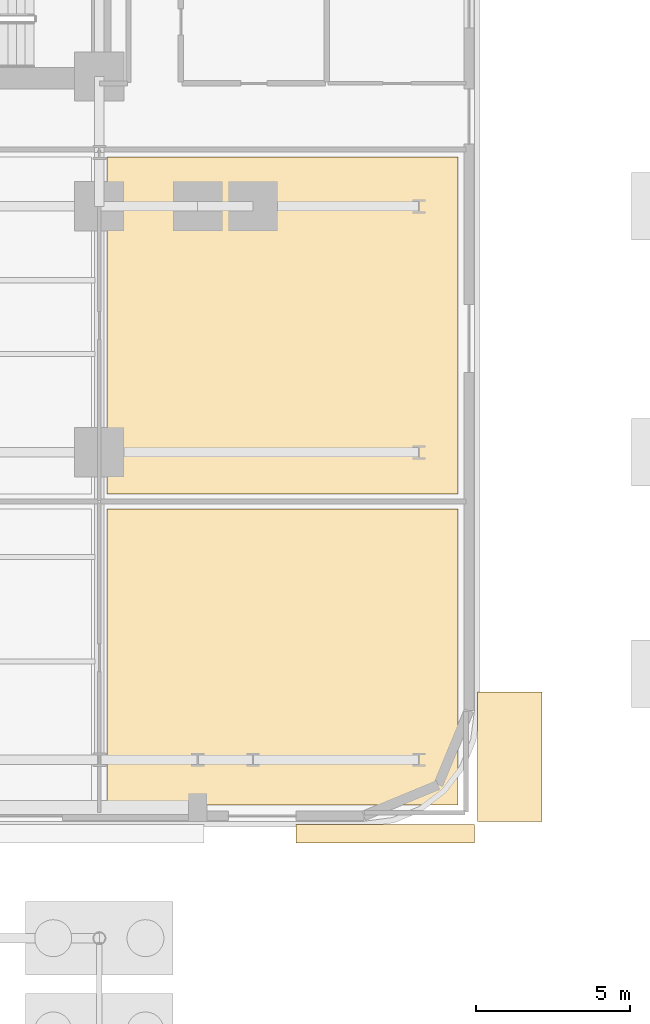
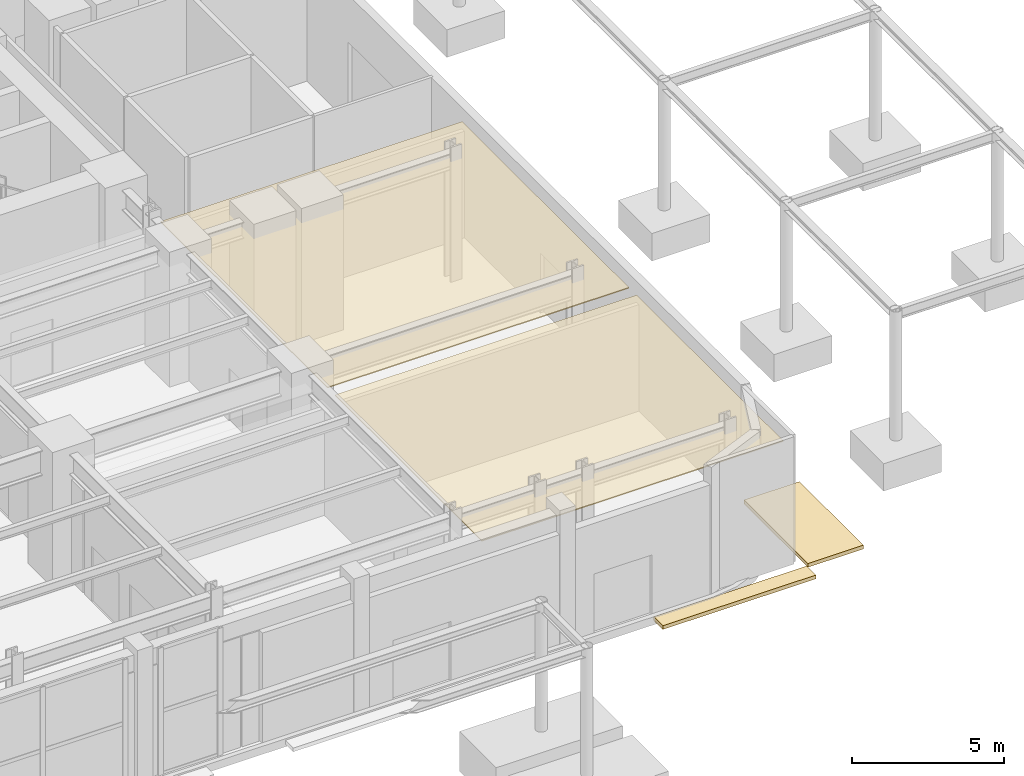
# One storey, part 20 of 21: 4 coverings.
"""IFC4 building model written with IfcOpenShell, lengths in metres."""

import ifcopenshell
import ifcopenshell.guid

model = None  # the IFC model being written
_history = None  # IfcOwnerHistory: only IFC2X3 demands one
_inside = {}  # id of a spatial element -> (the spatial element, [elements in it])
_under = {}  # id of a project, library or spatial element -> (it, [spatial elements below it])
_declared = {}  # id of a project -> (the project, [libraries it declares])
_typed = {}  # id of a type object -> (the type object, [elements of that type])
_made_of = {}  # id of a material, layer set ... -> (it, [elements and type objects made of it])


def new_model(schema):
    """Start an empty IFC model of exactly this schema.

    Asked for "IFC4X3", IfcOpenShell would pick the latest addendum, in which some entities
    have other attributes; the version numbers below select the first issue.
    IFC2X3 requires an IfcOwnerHistory on every rooted entity: one is made here for all.
    """
    global model, _history
    if schema == "IFC4X3":
        model = ifcopenshell.file(schema_version=(4, 3, 0, 0))
    else:
        model = ifcopenshell.file(schema=schema)
    _inside.clear()
    _under.clear()
    _declared.clear()
    _typed.clear()
    _made_of.clear()
    _history = None
    if model.schema == "IFC2X3":
        org = make("IfcOrganization", Name="unknown")
        user = make(
            "IfcPersonAndOrganization",
            ThePerson=make("IfcPerson", FamilyName="unknown"),
            TheOrganization=org,
        )
        app = make(
            "IfcApplication",
            ApplicationDeveloper=org,
            Version="unknown",
            ApplicationFullName="unknown",
            ApplicationIdentifier="unknown",
        )
        _history = make(
            "IfcOwnerHistory",
            OwningUser=user,
            OwningApplication=app,
            ChangeAction="ADDED",
            CreationDate=0,
        )
    return model


def make(cls, **values):
    """One entity of the class cls with the attributes given. An attribute that is None is left unset."""
    return model.create_entity(
        cls, **{name: value for name, value in values.items() if value is not None}
    )


def rooted(cls, **values):
    """An entity with a GlobalId (a new one), such as an element, a storey or a relation."""
    return make(cls, GlobalId=ifcopenshell.guid.new(), OwnerHistory=_history, **values)


def si_unit(unit_type, name, prefix=None):
    """IfcSIUnit, for example si_unit("LENGTHUNIT", "METRE", prefix="MILLI")."""
    return make("IfcSIUnit", UnitType=unit_type, Prefix=prefix, Name=name)


def assignment(units):
    """IfcUnitAssignment: the units of a project."""
    return None if units is None else make("IfcUnitAssignment", Units=units)


def point(xyz):
    """IfcCartesianPoint."""
    return None if xyz is None else make("IfcCartesianPoint", Coordinates=xyz)


def direction(xyz):
    """IfcDirection."""
    return None if xyz is None else make("IfcDirection", DirectionRatios=xyz)


def frame(location, z_axis=None, x_axis=None):
    """IfcAxis2Placement3D, a coordinate frame: its origin and axes. An axis left out is left unset."""
    return make(
        "IfcAxis2Placement3D",
        Location=point(location),
        Axis=direction(z_axis),
        RefDirection=direction(x_axis),
    )


def origin():
    """The frame at (0, 0, 0) with its axes left unset."""
    return frame((0.0, 0.0, 0.0))


def place(relative_to, where):
    """IfcLocalPlacement: puts the frame where relative to a parent placement (None: the world)."""
    return make(
        "IfcLocalPlacement", PlacementRelTo=relative_to, RelativePlacement=where
    )


def context(
    kind, dimensions, precision=None, world=None, true_north=None, identifier=None
):
    """IfcGeometricRepresentationContext, for example the 3D "Model" context."""
    return make(
        "IfcGeometricRepresentationContext",
        ContextIdentifier=identifier,
        ContextType=kind,
        CoordinateSpaceDimension=dimensions,
        Precision=precision,
        WorldCoordinateSystem=world,
        TrueNorth=true_north,
    )


def subcontext(parent, identifier, kind, view, scale=None):
    """IfcGeometricRepresentationSubContext, for example "Body" below "Model"."""
    return make(
        "IfcGeometricRepresentationSubContext",
        ContextIdentifier=identifier,
        ContextType=kind,
        ParentContext=parent,
        TargetScale=scale,
        TargetView=view,
    )


def project(units=None, contexts=None):
    """IfcProject with its units and contexts."""
    return rooted(
        "IfcProject",
        Name="project",
        RepresentationContexts=contexts,
        UnitsInContext=assignment(units),
    )


def spatial(cls, under=None, at=None, **own):
    """A site, building, storey or space (cls), placed at a placement, below another one or the project."""
    s = rooted(cls, ObjectPlacement=at, **own)
    if under is not None:
        _under.setdefault(under.id(), (under, []))[1].append(s)
    return s


def polyline(points):
    """IfcPolyline through the points."""
    return make("IfcPolyline", Points=[point(p) for p in points])


def outline(outer, holes=None, kind="AREA"):
    """IfcArbitraryClosedProfileDef: a profile drawn as a closed curve; with holes, ...WithVoids."""
    if holes is None:
        return make("IfcArbitraryClosedProfileDef", ProfileType=kind, OuterCurve=outer)
    return make(
        "IfcArbitraryProfileDefWithVoids",
        ProfileType=kind,
        OuterCurve=outer,
        InnerCurves=holes,
    )


def extrude(swept, where, along, depth):
    """IfcExtrudedAreaSolid: the profile swept, set in the frame where, extruded along a direction by depth."""
    return make(
        "IfcExtrudedAreaSolid",
        SweptArea=swept,
        Position=where,
        ExtrudedDirection=direction(along),
        Depth=depth,
    )


def shape(context_of_items, identifier, shape_type, items):
    """IfcShapeRepresentation: the items that make up one representation, for example the "Body"."""
    return make(
        "IfcShapeRepresentation",
        ContextOfItems=context_of_items,
        RepresentationIdentifier=identifier,
        RepresentationType=shape_type,
        Items=items,
    )


def material(Name=None, Category=None):
    """IfcMaterial."""
    return make("IfcMaterial", Name=Name, Category=Category)


def layer(
    of_material, thickness, ventilated=None, Name=None, Category=None, Priority=None
):
    """IfcMaterialLayer: one layer of a wall or slab, of a material (None: an air gap)."""
    return make(
        "IfcMaterialLayer",
        Material=of_material,
        LayerThickness=thickness,
        IsVentilated=ventilated,
        Name=Name,
        Category=Category,
        Priority=Priority,
    )


def layer_set(layers, Name=None):
    """IfcMaterialLayerSet."""
    return make("IfcMaterialLayerSet", MaterialLayers=layers, LayerSetName=Name)


def made_of(thing, what):
    """Note that an element or type object is made of a material, layer set ...; save() writes the relation."""
    if what is not None:
        _made_of.setdefault(what.id(), (what, []))[1].append(thing)
    return thing


def type_object(cls, material=None, **own):
    """A type object (cls), such as IfcWallType, which elements share."""
    return made_of(rooted(cls, **own), material)


def element(
    cls,
    number,
    at=None,
    inside=None,
    cuts=None,
    type_object=None,
    material=None,
    context=None,
    identifier="Body",
    shape_type=None,
    held_by="IfcProductDefinitionShape",
    body=None,
    shapes=None,
    **own,
):
    """One element of the class cls, such as IfcWall. Its Tag is "e" and its number.

    at: its placement. inside: the storey or other place that contains it. cuts: it is an
    opening in that element (IfcRelVoidsElement). A single representation is given by context,
    identifier, shape_type and body (its items); several are given by shapes. held_by: the class
    of the entity that holds the representations. save() writes the other relations.
    """
    e = rooted(cls, Tag="e%d" % number, ObjectPlacement=at, **own)
    if body is not None:
        shapes = [shape(context, identifier, shape_type, body)]
    if shapes is not None:
        e.Representation = make(held_by, Representations=shapes)
    if inside is not None:
        _inside.setdefault(inside.id(), (inside, []))[1].append(e)
    if cuts is not None:
        rooted(
            "IfcRelVoidsElement", RelatingBuildingElement=cuts, RelatedOpeningElement=e
        )
    if type_object is not None:
        _typed.setdefault(type_object.id(), (type_object, []))[1].append(e)
    return made_of(e, material)


def aggregate(whole, parts):
    """IfcRelAggregates: a whole, such as a stair, and the parts it consists of."""
    return rooted("IfcRelAggregates", RelatingObject=whole, RelatedObjects=parts)


def save(model, path):
    """Write the relations noted so far, then the file.

    IfcRelAggregates (storeys below a building ...), IfcRelContainedInSpatialStructure (elements
    in a storey), IfcRelDefinesByType, IfcRelAssociatesMaterial and IfcRelDeclares: one each for
    every whole, place, type object, material and project.
    """
    for whole, parts in _under.values():
        aggregate(whole, parts)
    for where, things in _inside.values():
        rooted(
            "IfcRelContainedInSpatialStructure",
            RelatedElements=things,
            RelatingStructure=where,
        )
    for kind, things in _typed.values():
        rooted("IfcRelDefinesByType", RelatedObjects=things, RelatingType=kind)
    for what, things in _made_of.values():
        rooted("IfcRelAssociatesMaterial", RelatedObjects=things, RelatingMaterial=what)
    for by, libraries in _declared.values():
        rooted("IfcRelDeclares", RelatingContext=by, RelatedDefinitions=libraries)
    model.write(path)


model = new_model("IFC4")

# Units and contexts
model_context = context("Model", 3, precision=1e-05, world=origin(), true_north=direction((0.0, 1.0)))
body_context = subcontext(model_context, "Body", "Model", "MODEL_VIEW")
ifc_project = project(units=[si_unit("LENGTHUNIT", "METRE"), si_unit("AREAUNIT", "SQUARE_METRE"), si_unit("VOLUMEUNIT", "CUBIC_METRE"), si_unit("PLANEANGLEUNIT", "RADIAN"), si_unit("MASSUNIT", "GRAM", prefix="KILO")], contexts=[model_context])

# Site, building, storey
site_placement = place(None, origin())
site = spatial("IfcSite", under=ifc_project, at=site_placement, CompositionType="ELEMENT")
building_placement = place(site_placement, origin())
building = spatial("IfcBuilding", under=site, at=building_placement, Name="Zarnavel Station Tower", CompositionType="ELEMENT")
storey_placement = place(building_placement, origin())
storey = spatial("IfcBuildingStorey", under=building, at=storey_placement, Name="L01", CompositionType="ELEMENT", Elevation=0.0)

# Coverings
ifc_material_1 = material(Name="Perforated Gypsum and Mineral-Wool Acoustic Ceiling", Category="concrete")
ifc_layer_1 = layer(ifc_material_1, 0.0400390625)
ifc_layer_set_1 = layer_set([ifc_layer_1], Name="COV_CEIL_ACOUSTIC")
covering_type_1 = type_object("IfcCoveringType", Name="COV_CEIL_ACOUSTIC", PredefinedType="CEILING", material=ifc_layer_set_1)
covering_1_placement = place(storey_placement, frame((0.0, 0.0, 4.780029296875)))
element("IfcCovering", 1, at=covering_1_placement, inside=storey, type_object=covering_type_1, Name="L01 TKTE Acoustic Ceiling", PredefinedType="CEILING", context=body_context, shape_type="SweptSolid", body=[
    extrude(outline(polyline([(45.64990234375, 4.1298828125), (57.070068359375, 4.1298828125), (57.070068359375, 13.75), (45.64990234375, 13.75), (45.64990234375, 4.1298828125)])), origin(), (0.0, 0.0, 1.0), 0.0400390625),
])
covering_2_placement = place(storey_placement, frame((0.0, 0.0, 4.780029296875)))
element("IfcCovering", 2, at=covering_2_placement, inside=storey, type_object=covering_type_1, Name="L01 HLUG Acoustic Ceiling", PredefinedType="CEILING", context=body_context, shape_type="SweptSolid", body=[
    extrude(outline(polyline([(45.64990234375, 14.25), (57.070068359375, 14.25), (57.070068359375, 25.199951171875), (45.64990234375, 25.199951171875), (45.64990234375, 14.25)])), origin(), (0.0, 0.0, 1.0), 0.0400390625),
])
ifc_material_2 = material(Name="Precast concrete C45/55 (Plaza Granite Paving)", Category="masonry")
ifc_layer_2 = layer(ifc_material_2, 0.14990234375)
ifc_layer_set_2 = layer_set([ifc_layer_2], Name="COV_PAV_150")
covering_type_2 = type_object("IfcCoveringType", Name="COV_PAV_150", PredefinedType="FLOORING", material=ifc_layer_set_2)
covering_3_placement = place(storey_placement, frame((0.0, 0.0, -0.14990234375)))
element("IfcCovering", 3, at=covering_3_placement, inside=storey, type_object=covering_type_2, Name="Station Forecourt Paving PV05", PredefinedType="FLOORING", context=body_context, shape_type="SweptSolid", body=[
    extrude(outline(polyline([(51.800048828125, 2.89990234375), (57.60009765625, 2.89990234375), (57.60009765625, 3.5), (51.800048828125, 3.5), (51.800048828125, 2.89990234375)])), origin(), (0.0, 0.0, 1.0), 0.14990234375),
])
covering_4_placement = place(storey_placement, frame((0.0, 0.0, -0.14990234375)))
element("IfcCovering", 4, at=covering_4_placement, inside=storey, type_object=covering_type_2, Name="Station Forecourt Paving PV06", PredefinedType="FLOORING", context=body_context, shape_type="SweptSolid", body=[
    extrude(outline(polyline([(57.699951171875, 3.60009765625), (59.800048828125, 3.60009765625), (59.800048828125, 7.800048828125), (57.699951171875, 7.800048828125), (57.699951171875, 3.60009765625)])), origin(), (0.0, 0.0, 1.0), 0.14990234375),
])

save(model, "model.ifc")
